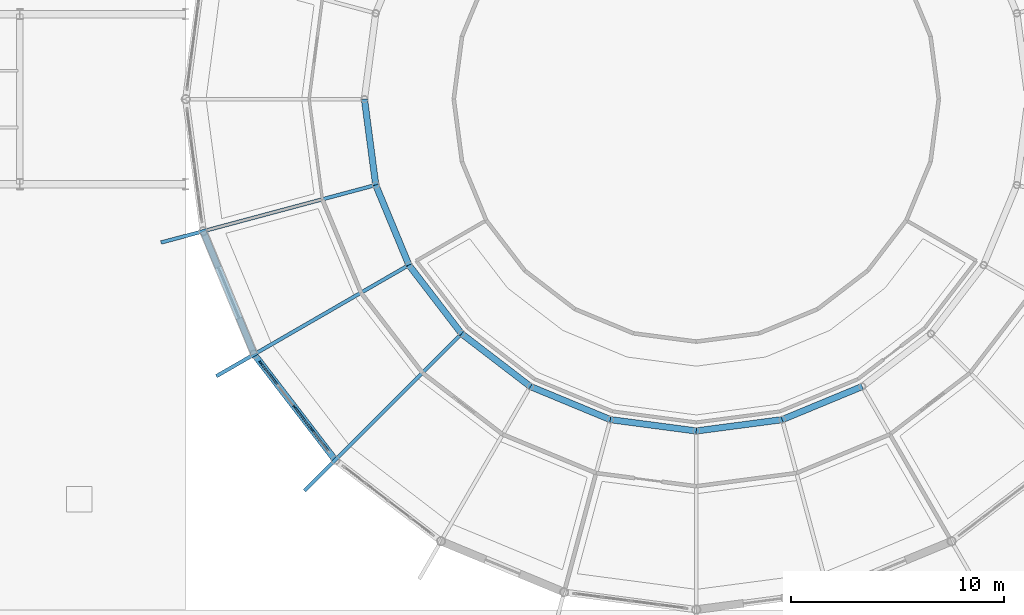
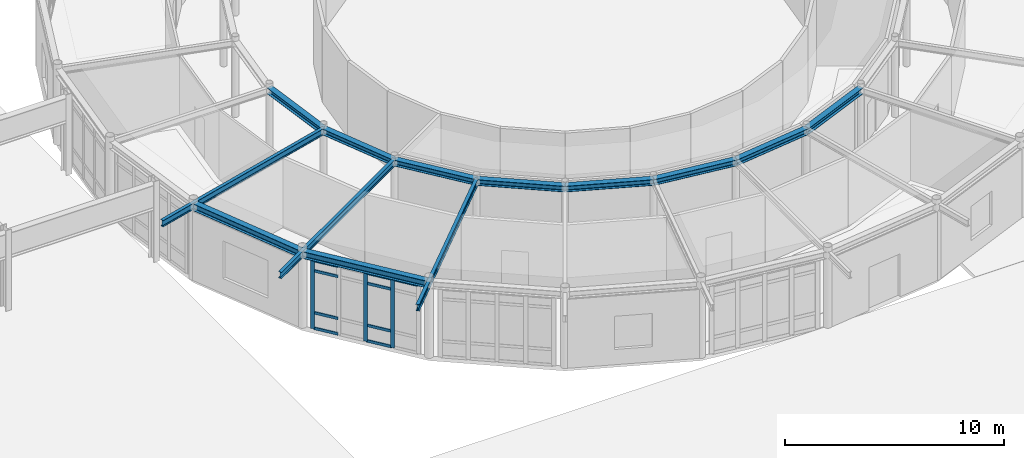
# One storey, part 32 of 101: 13 beams, 12 members, 1 element without a shape of its own.
"""IFC4 building model written with IfcOpenShell, lengths in metres."""

from ifc_helpers import new_model, si_unit, derived_unit, direction, frame, origin, origin_2d, place, context, subcontext, project, spatial, rectangle, i_section, extrude, material, layer, layer_set, material_profile, profile_set, type_object, element, aggregate, save


model = new_model("IFC4")

# Units and contexts
model_context = context("Model", 3, precision=1e-05, world=origin(), true_north=direction((0.0, 1.0)))
body_context = subcontext(model_context, "Body", "Model", "MODEL_VIEW")
ifc_project = project(units=[si_unit("LENGTHUNIT", "METRE"), si_unit("AREAUNIT", "SQUARE_METRE"), si_unit("VOLUMEUNIT", "CUBIC_METRE"), si_unit("PLANEANGLEUNIT", "RADIAN"), si_unit("MASSUNIT", "GRAM", prefix="KILO"), derived_unit("THERMALTRANSMITTANCEUNIT", [(si_unit("POWERUNIT", "WATT"), 1), (si_unit("AREAUNIT", "SQUARE_METRE"), -1), (si_unit("THERMODYNAMICTEMPERATUREUNIT", "KELVIN"), -1)])], contexts=[model_context])

# Site, building, storey
site_placement = place(None, origin())
site = spatial("IfcSite", under=ifc_project, at=site_placement, CompositionType="ELEMENT")
building_placement = place(site_placement, origin())
building = spatial("IfcBuilding", under=site, at=building_placement, Name="Yasenodar Specialist Clinic", CompositionType="ELEMENT")
storey_placement = place(building_placement, origin())
storey = spatial("IfcBuildingStorey", under=building, at=storey_placement, Name="L00", CompositionType="ELEMENT", Elevation=0.0)

# Beams
ifc_material_1 = material(Name="Steel S355", Category="steel")
ifc_material_profile_1 = material_profile(ifc_material_1, i_section(OverallWidth=0.300048828125, OverallDepth=0.330078125, WebThickness=0.009521484375, FlangeThickness=0.0166015625, FilletRadius=0.027099609375, at=origin_2d()), Name="HEA 340")
ifc_profile_set_1 = profile_set([ifc_material_profile_1], Name="Steel S355")
beam_type_1 = type_object("IfcBeamType", Name="BM-HEA340", PredefinedType="BEAM", material=ifc_profile_set_1)
for number, where, z_axis, x_axis, name in (
    (1, (65.39990234375, 58.800048828125, 4.0849609375), (0.130569268018, -0.991439189385, 0.0), (0.991439189385, 0.130569268018, 0.0), "L00 Drum V1 Inner Ring Beam"),
    (2, (65.931640625, 54.762451171875, 4.0849609375), (0.382660650645, -0.92388896868, 0.0), (0.92388896868, 0.382660650645, 0.0), "L00 Drum V1 Inner Ring Beam"),
    (3, (67.489990234375, 51.0, 4.0849609375), (0.608731039936, -0.793376657722, 0.0), (0.793376657722, 0.608731039936, 0.0), "L00 Drum V1 Inner Ring Beam"),
    (4, (69.968994140625, 47.76904296875, 4.0849609375), (0.793376657722, -0.608731039936, 0.0), (0.608731039936, 0.793376657722, 0.0), "L00 Drum V1 Inner Ring Beam"),
    (5, (73.199951171875, 45.2900390625, 4.0849609375), (0.92388896868, -0.382660650645, 0.0), (0.382660650645, 0.92388896868, 0.0), "L00 Drum V1 Inner Ring Beam"),
    (6, (76.96240234375, 43.731689453125, 4.0849609375), (0.991439189385, -0.130569268018, 0.0), (0.130569268018, 0.991439189385, 0.0), "L00 Drum V1 Inner Ring Beam"),
    (7, (81.0, 43.199951171875, 4.0849609375), (0.991439189385, 0.130569268018, 0.0), (-0.130569268018, 0.991439189385, 0.0), "L00 Drum V1 Inner Ring Beam"),
    (8, (85.03759765625, 43.731689453125, 4.0849609375), (0.92388896868, 0.382660650645, 0.0), (-0.382660650645, 0.92388896868, 0.0), "L00 Drum V1 Inner Ring Beam"),
):
    element("IfcBeam", number, at=place(storey_placement, frame(where, z_axis=z_axis, x_axis=x_axis)), inside=storey, type_object=beam_type_1, Name=name, PredefinedType="BEAM", context=body_context, shape_type="SweptSolid", body=[
        extrude(i_section(OverallWidth=0.300048828125, OverallDepth=0.330078125, WebThickness=0.009521484375, FlangeThickness=0.0166015625, FilletRadius=0.027099609375, at=origin_2d()), origin(), (0.0, 0.0, 1.0), 4.072509765625),
    ])
ifc_material_profile_2 = material_profile(ifc_material_1, i_section(OverallWidth=0.300048828125, OverallDepth=0.389892578125, WebThickness=0.010986328125, FlangeThickness=0.01904296875, FilletRadius=0.027099609375, at=origin_2d()), Name="HEA 400")
ifc_profile_set_2 = profile_set([ifc_material_profile_2], Name="Steel S355")
beam_type_2 = type_object("IfcBeamType", Name="BM-HEA400", PredefinedType="BEAM", material=ifc_profile_set_2)
beam_1_placement = place(storey_placement, frame((57.81787109375, 52.58837890625, 4.054931640625), z_axis=(0.382663829839, -0.9238876519, 0.0), x_axis=(0.9238876519, 0.382663829839, 0.0)))
element("IfcBeam", 9, at=beam_1_placement, inside=storey, type_object=beam_type_2, Name="L00 Drum V1 Perimeter Ring Beam", PredefinedType="BEAM", context=body_context, shape_type="SweptSolid", body=[
    extrude(i_section(OverallWidth=0.300048828125, OverallDepth=0.389892578125, WebThickness=0.010986328125, FlangeThickness=0.01904296875, FilletRadius=0.027099609375, at=origin_2d()), origin(), (0.0, 0.0, 1.0), 6.26513671875),
])
beam_2_placement = place(storey_placement, frame((60.21533203125, 46.800048828125, 4.054931640625), z_axis=(0.608742360322, -0.793367971845, 0.0), x_axis=(0.793367971845, 0.608742360322, 0.0)))
element("IfcBeam", 10, at=beam_2_placement, inside=storey, type_object=beam_type_2, Name="L00 Drum V1 Perimeter Ring Beam", PredefinedType="BEAM", context=body_context, shape_type="SweptSolid", body=[
    extrude(i_section(OverallWidth=0.300048828125, OverallDepth=0.389892578125, WebThickness=0.010986328125, FlangeThickness=0.01904296875, FilletRadius=0.027099609375, at=origin_2d()), origin(), (0.0, 0.0, 1.0), 6.265380859375),
])
ifc_material_profile_3 = material_profile(ifc_material_1, i_section(OverallWidth=0.169921875, OverallDepth=0.360107421875, WebThickness=0.008056640625, FlangeThickness=0.0126953125, FilletRadius=0.01806640625, at=origin_2d()), Name="IPE 360")
ifc_profile_set_3 = profile_set([ifc_material_profile_3], Name="Steel S355")
beam_type_3 = type_object("IfcBeamType", Name="BM-IPE360", PredefinedType="BEAM", material=ifc_profile_set_3)
beam_3_placement = place(storey_placement, frame((65.931640625, 54.762451171875, 4.070068359375), z_axis=(-0.965927925162, -0.258811211874, 0.0), x_axis=(0.258811211874, -0.965927925162, 0.0)))
element("IfcBeam", 11, at=beam_3_placement, inside=storey, type_object=beam_type_3, Name="L00 Drum V1 Radial Back-Spanned Cantilever Beam", PredefinedType="BEAM", context=body_context, shape_type="SweptSolid", body=[
    extrude(i_section(OverallWidth=0.169921875, OverallDepth=0.360107421875, WebThickness=0.008056640625, FlangeThickness=0.0126953125, FilletRadius=0.01806640625, at=origin_2d()), origin(), (0.0, 0.0, 1.0), 10.449951171875),
])
beam_4_placement = place(storey_placement, frame((67.489990234375, 51.0, 4.070068359375), z_axis=(-0.86602335148, -0.500003554679, 0.0), x_axis=(0.500003554679, -0.86602335148, 0.0)))
element("IfcBeam", 12, at=beam_4_placement, inside=storey, type_object=beam_type_3, Name="L00 Drum V1 Radial Back-Spanned Cantilever Beam", PredefinedType="BEAM", context=body_context, shape_type="SweptSolid", body=[
    extrude(i_section(OverallWidth=0.169921875, OverallDepth=0.360107421875, WebThickness=0.008056640625, FlangeThickness=0.0126953125, FilletRadius=0.01806640625, at=origin_2d()), origin(), (0.0, 0.0, 1.0), 10.4501953125),
])
beam_5_placement = place(storey_placement, frame((69.968994140625, 47.76904296875, 4.070068359375), z_axis=(-0.707106781187, -0.707106781187, 0.0), x_axis=(0.707106781187, -0.707106781187, 0.0)))
element("IfcBeam", 13, at=beam_5_placement, inside=storey, type_object=beam_type_3, Name="L00 Drum V1 Radial Back-Spanned Cantilever Beam", PredefinedType="BEAM", context=body_context, shape_type="SweptSolid", body=[
    extrude(i_section(OverallWidth=0.169921875, OverallDepth=0.360107421875, WebThickness=0.008056640625, FlangeThickness=0.0126953125, FilletRadius=0.01806640625, at=origin_2d()), origin(), (0.0, 0.0, 1.0), 10.449951171875),
])

# Curtain wall, members
ifc_material_2 = material(Name="Bronze Anodized Aluminium and Triple Low-E Glass", Category="aluminium")
ifc_layer = layer(ifc_material_2, 0.1669921875)
ifc_layer_set = layer_set([ifc_layer], Name="Bronze Anodized Aluminium and Triple Low-E Glass")
curtain_wall_type = type_object("IfcCurtainWallType", Name="CW-SYS-01", PredefinedType="USERDEFINED", material=ifc_layer_set)
curtain_wall_placement = place(storey_placement, origin())
curtain_wall = element("IfcCurtainWall", 14, at=curtain_wall_placement, inside=storey, type_object=curtain_wall_type, Name="L00 Unitised Curtain Wall 008", ObjectType="UNITISED CURTAIN WALL", PredefinedType="USERDEFINED")
ifc_material_3 = material(Name="Bronze Anodized Aluminium", Category="aluminium")
ifc_material_profile_4 = material_profile(ifc_material_3, rectangle(XDim=0.070068359375, YDim=0.199951171875, at=origin_2d()), Name="CW-MULL 70x200")
ifc_profile_set_4 = profile_set([ifc_material_profile_4], Name="Bronze Anodized Aluminium")
member_type_1 = type_object("IfcMemberType", Name="CW-MULL-200", PredefinedType="MULLION", material=ifc_profile_set_4)
member_1_placement = place(storey_placement, frame((62.9296875, 43.262451171875, 0.0), z_axis=(0.0, 0.0, 1.0), x_axis=(-0.793360558574, -0.608752021844, 0.0)))
member_1 = element("IfcMember", 15, at=member_1_placement, type_object=member_type_1, Name="CW-01 mullion 2", PredefinedType="MULLION", context=body_context, shape_type="SweptSolid", body=[
    extrude(rectangle(XDim=0.070068359375, YDim=0.199951171875, at=origin_2d()), origin(), (0.0, 0.0, 1.0), 3.837890625),
])
member_2_placement = place(storey_placement, frame((62.122314453125, 44.314697265625, 0.0), z_axis=(0.0, 0.0, 1.0), x_axis=(-0.793360558574, -0.608752021844, 0.0)))
member_2 = element("IfcMember", 16, at=member_2_placement, type_object=member_type_1, Name="CW-01 mullion 3", PredefinedType="MULLION", context=body_context, shape_type="SweptSolid", body=[
    extrude(rectangle(XDim=0.070068359375, YDim=0.199951171875, at=origin_2d()), origin(), (0.0, 0.0, 1.0), 3.837890625),
])
member_3_placement = place(storey_placement, frame((60.52880859375, 46.391357421875, 0.0), z_axis=(0.0, 0.0, 1.0), x_axis=(-0.793360558574, -0.608752021844, 0.0)))
member_3 = element("IfcMember", 17, at=member_3_placement, type_object=member_type_1, Name="CW-01 mullion 5", PredefinedType="MULLION", context=body_context, shape_type="SweptSolid", body=[
    extrude(rectangle(XDim=0.070068359375, YDim=0.199951171875, at=origin_2d()), origin(), (0.0, 0.0, 1.0), 3.837890625),
])
ifc_material_profile_5 = material_profile(ifc_material_3, rectangle(XDim=0.070068359375, YDim=0.14990234375, at=origin_2d()), Name="CW-TRAN 70x150")
ifc_profile_set_5 = profile_set([ifc_material_profile_5], Name="Bronze Anodized Aluminium")
member_type_2 = type_object("IfcMemberType", Name="CW-TRAN-150", PredefinedType="USERDEFINED", material=ifc_profile_set_5)
member_4_placement = place(storey_placement, frame((63.694580078125, 42.265625, 3.802978515625), z_axis=(-0.608695898449, 0.793403619358, 0.0), x_axis=(-0.793403619358, -0.608695898449, 0.0)))
member_4 = element("IfcMember", 18, at=member_4_placement, type_object=member_type_2, Name="CW-01 transom 1.4", ObjectType="TRANSOM", PredefinedType="USERDEFINED", context=body_context, shape_type="SweptSolid", body=[
    extrude(rectangle(XDim=0.070068359375, YDim=0.14990234375, at=origin_2d()), origin(), (0.0, 0.0, 1.0), 1.22119140625),
])
member_5_placement = place(storey_placement, frame((62.908447265625, 43.290283203125, 0.034912109375), z_axis=(-0.608733443446, 0.793374813585, 0.0), x_axis=(-0.793374813585, -0.608733443446, 0.0)))
member_5 = element("IfcMember", 19, at=member_5_placement, type_object=member_type_2, Name="CW-01 transom 2.1", ObjectType="TRANSOM", PredefinedType="USERDEFINED", context=body_context, shape_type="SweptSolid", body=[
    extrude(rectangle(XDim=0.070068359375, YDim=0.14990234375, at=origin_2d()), origin(), (0.0, 0.0, 1.0), 1.256103515625),
])
member_6_placement = place(storey_placement, frame((62.908447265625, 43.290283203125, 0.89990234375), z_axis=(-0.608733443446, 0.793374813585, 0.0), x_axis=(-0.793374813585, -0.608733443446, 0.0)))
member_6 = element("IfcMember", 20, at=member_6_placement, type_object=member_type_2, Name="CW-01 transom 2.2", ObjectType="TRANSOM", PredefinedType="USERDEFINED", context=body_context, shape_type="SweptSolid", body=[
    extrude(rectangle(XDim=0.070068359375, YDim=0.14990234375, at=origin_2d()), origin(), (0.0, 0.0, 1.0), 1.256103515625),
])
member_7_placement = place(storey_placement, frame((62.908447265625, 43.290283203125, 3.238037109375), z_axis=(-0.608733443446, 0.793374813585, 0.0), x_axis=(-0.793374813585, -0.608733443446, 0.0)))
member_7 = element("IfcMember", 21, at=member_7_placement, type_object=member_type_2, Name="CW-01 transom 2.3", ObjectType="TRANSOM", PredefinedType="USERDEFINED", context=body_context, shape_type="SweptSolid", body=[
    extrude(rectangle(XDim=0.070068359375, YDim=0.14990234375, at=origin_2d()), origin(), (0.0, 0.0, 1.0), 1.256103515625),
])
member_8_placement = place(storey_placement, frame((62.908447265625, 43.290283203125, 3.802978515625), z_axis=(-0.608733443446, 0.793374813585, 0.0), x_axis=(-0.793374813585, -0.608733443446, 0.0)))
member_8 = element("IfcMember", 22, at=member_8_placement, type_object=member_type_2, Name="CW-01 transom 2.4", ObjectType="TRANSOM", PredefinedType="USERDEFINED", context=body_context, shape_type="SweptSolid", body=[
    extrude(rectangle(XDim=0.070068359375, YDim=0.14990234375, at=origin_2d()), origin(), (0.0, 0.0, 1.0), 1.256103515625),
])
member_9_placement = place(storey_placement, frame((61.293701171875, 45.394775390625, 0.034912109375), z_axis=(-0.608695898449, 0.793403619358, 0.0), x_axis=(-0.793403619358, -0.608695898449, 0.0)))
member_9 = element("IfcMember", 23, at=member_9_placement, type_object=member_type_2, Name="CW-01 transom 4.1", ObjectType="TRANSOM", PredefinedType="USERDEFINED", context=body_context, shape_type="SweptSolid", body=[
    extrude(rectangle(XDim=0.070068359375, YDim=0.14990234375, at=origin_2d()), origin(), (0.0, 0.0, 1.0), 1.22119140625),
])
member_10_placement = place(storey_placement, frame((61.293701171875, 45.394775390625, 0.89990234375), z_axis=(-0.608695898449, 0.793403619358, 0.0), x_axis=(-0.793403619358, -0.608695898449, 0.0)))
member_10 = element("IfcMember", 24, at=member_10_placement, type_object=member_type_2, Name="CW-01 transom 4.2", ObjectType="TRANSOM", PredefinedType="USERDEFINED", context=body_context, shape_type="SweptSolid", body=[
    extrude(rectangle(XDim=0.070068359375, YDim=0.14990234375, at=origin_2d()), origin(), (0.0, 0.0, 1.0), 1.22119140625),
])
member_11_placement = place(storey_placement, frame((61.293701171875, 45.394775390625, 3.238037109375), z_axis=(-0.608695898449, 0.793403619358, 0.0), x_axis=(-0.793403619358, -0.608695898449, 0.0)))
member_11 = element("IfcMember", 25, at=member_11_placement, type_object=member_type_2, Name="CW-01 transom 4.3", ObjectType="TRANSOM", PredefinedType="USERDEFINED", context=body_context, shape_type="SweptSolid", body=[
    extrude(rectangle(XDim=0.070068359375, YDim=0.14990234375, at=origin_2d()), origin(), (0.0, 0.0, 1.0), 1.22119140625),
])
member_12_placement = place(storey_placement, frame((61.293701171875, 45.394775390625, 3.802978515625), z_axis=(-0.608695898449, 0.793403619358, 0.0), x_axis=(-0.793403619358, -0.608695898449, 0.0)))
member_12 = element("IfcMember", 26, at=member_12_placement, type_object=member_type_2, Name="CW-01 transom 4.4", ObjectType="TRANSOM", PredefinedType="USERDEFINED", context=body_context, shape_type="SweptSolid", body=[
    extrude(rectangle(XDim=0.070068359375, YDim=0.14990234375, at=origin_2d()), origin(), (0.0, 0.0, 1.0), 1.22119140625),
])
aggregate(curtain_wall, [member_1, member_2, member_3, member_4, member_5, member_6, member_7, member_8, member_9, member_10, member_11, member_12])

save(model, "model.ifc")
